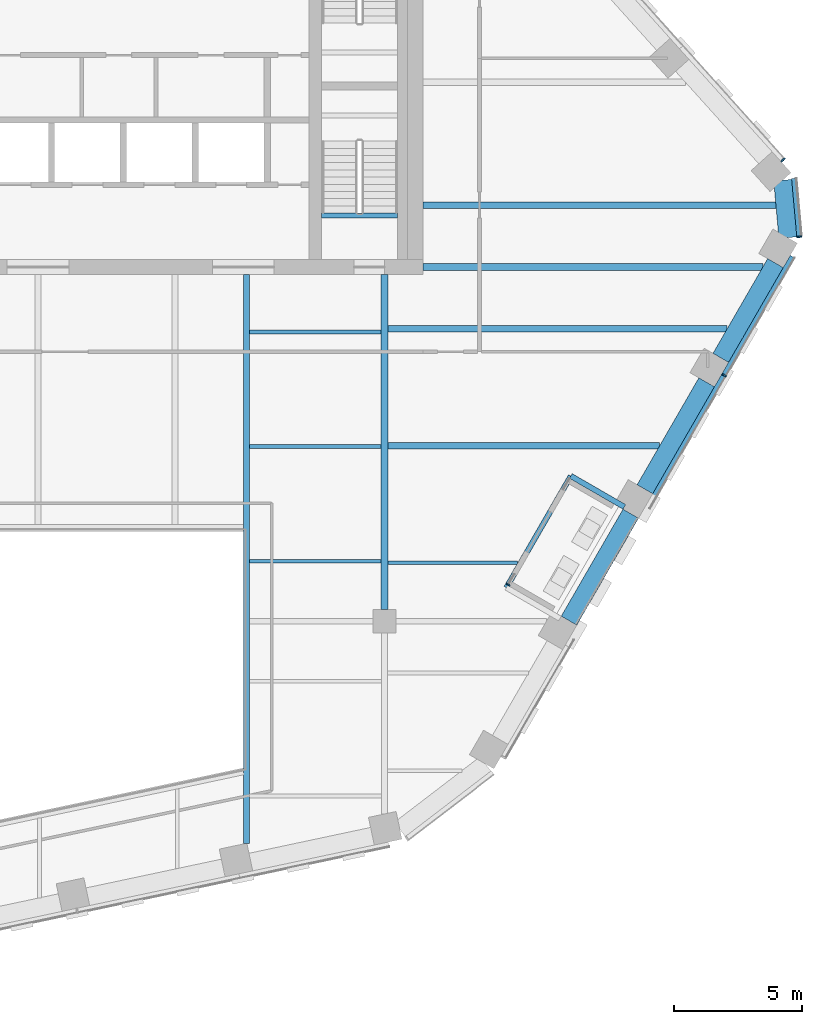
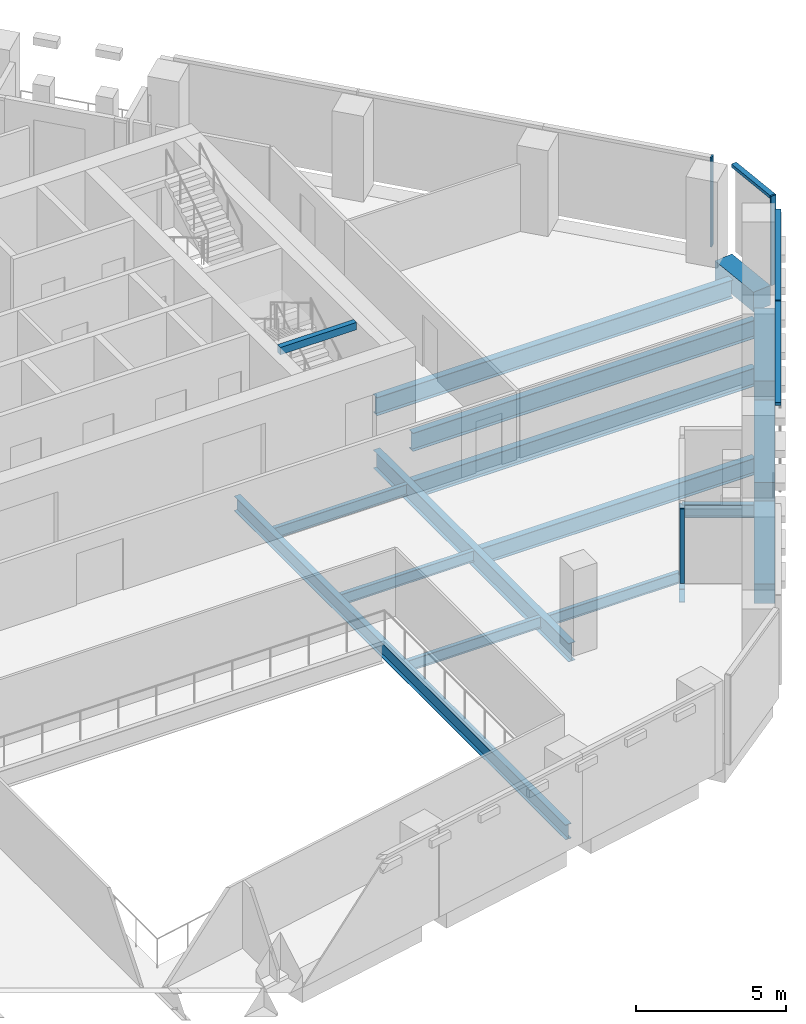
# One storey, part 5 of 24: 17 beams, 7 members, 4 elements without a shape of their own.
"""IFC4 building model written with IfcOpenShell, lengths in metres."""

import ifcopenshell
import ifcopenshell.guid

model = None  # the IFC model being written
_history = None  # IfcOwnerHistory: only IFC2X3 demands one
_inside = {}  # id of a spatial element -> (the spatial element, [elements in it])
_under = {}  # id of a project, library or spatial element -> (it, [spatial elements below it])
_declared = {}  # id of a project -> (the project, [libraries it declares])
_typed = {}  # id of a type object -> (the type object, [elements of that type])
_made_of = {}  # id of a material, layer set ... -> (it, [elements and type objects made of it])


def new_model(schema):
    """Start an empty IFC model of exactly this schema.

    Asked for "IFC4X3", IfcOpenShell would pick the latest addendum, in which some entities
    have other attributes; the version numbers below select the first issue.
    IFC2X3 requires an IfcOwnerHistory on every rooted entity: one is made here for all.
    """
    global model, _history
    if schema == "IFC4X3":
        model = ifcopenshell.file(schema_version=(4, 3, 0, 0))
    else:
        model = ifcopenshell.file(schema=schema)
    _inside.clear()
    _under.clear()
    _declared.clear()
    _typed.clear()
    _made_of.clear()
    _history = None
    if model.schema == "IFC2X3":
        org = make("IfcOrganization", Name="unknown")
        user = make(
            "IfcPersonAndOrganization",
            ThePerson=make("IfcPerson", FamilyName="unknown"),
            TheOrganization=org,
        )
        app = make(
            "IfcApplication",
            ApplicationDeveloper=org,
            Version="unknown",
            ApplicationFullName="unknown",
            ApplicationIdentifier="unknown",
        )
        _history = make(
            "IfcOwnerHistory",
            OwningUser=user,
            OwningApplication=app,
            ChangeAction="ADDED",
            CreationDate=0,
        )
    return model


def make(cls, **values):
    """One entity of the class cls with the attributes given. An attribute that is None is left unset."""
    return model.create_entity(
        cls, **{name: value for name, value in values.items() if value is not None}
    )


def rooted(cls, **values):
    """An entity with a GlobalId (a new one), such as an element, a storey or a relation."""
    return make(cls, GlobalId=ifcopenshell.guid.new(), OwnerHistory=_history, **values)


def si_unit(unit_type, name, prefix=None):
    """IfcSIUnit, for example si_unit("LENGTHUNIT", "METRE", prefix="MILLI")."""
    return make("IfcSIUnit", UnitType=unit_type, Prefix=prefix, Name=name)


def assignment(units):
    """IfcUnitAssignment: the units of a project."""
    return None if units is None else make("IfcUnitAssignment", Units=units)


def point(xyz):
    """IfcCartesianPoint."""
    return None if xyz is None else make("IfcCartesianPoint", Coordinates=xyz)


def direction(xyz):
    """IfcDirection."""
    return None if xyz is None else make("IfcDirection", DirectionRatios=xyz)


def frame(location, z_axis=None, x_axis=None):
    """IfcAxis2Placement3D, a coordinate frame: its origin and axes. An axis left out is left unset."""
    return make(
        "IfcAxis2Placement3D",
        Location=point(location),
        Axis=direction(z_axis),
        RefDirection=direction(x_axis),
    )


def frame_2d(location, x_axis=None):
    """IfcAxis2Placement2D, a coordinate frame in the plane: its origin and x axis."""
    return make(
        "IfcAxis2Placement2D", Location=point(location), RefDirection=direction(x_axis)
    )


def origin():
    """The frame at (0, 0, 0) with its axes left unset."""
    return frame((0.0, 0.0, 0.0))


def origin_2d():
    """The frame at (0, 0) in the plane with its x axis left unset."""
    return frame_2d((0.0, 0.0))


def place(relative_to, where):
    """IfcLocalPlacement: puts the frame where relative to a parent placement (None: the world)."""
    return make(
        "IfcLocalPlacement", PlacementRelTo=relative_to, RelativePlacement=where
    )


def context(
    kind, dimensions, precision=None, world=None, true_north=None, identifier=None
):
    """IfcGeometricRepresentationContext, for example the 3D "Model" context."""
    return make(
        "IfcGeometricRepresentationContext",
        ContextIdentifier=identifier,
        ContextType=kind,
        CoordinateSpaceDimension=dimensions,
        Precision=precision,
        WorldCoordinateSystem=world,
        TrueNorth=true_north,
    )


def subcontext(parent, identifier, kind, view, scale=None):
    """IfcGeometricRepresentationSubContext, for example "Body" below "Model"."""
    return make(
        "IfcGeometricRepresentationSubContext",
        ContextIdentifier=identifier,
        ContextType=kind,
        ParentContext=parent,
        TargetScale=scale,
        TargetView=view,
    )


def project(units=None, contexts=None):
    """IfcProject with its units and contexts."""
    return rooted(
        "IfcProject",
        Name="project",
        RepresentationContexts=contexts,
        UnitsInContext=assignment(units),
    )


def spatial(cls, under=None, at=None, **own):
    """A site, building, storey or space (cls), placed at a placement, below another one or the project."""
    s = rooted(cls, ObjectPlacement=at, **own)
    if under is not None:
        _under.setdefault(under.id(), (under, []))[1].append(s)
    return s


def profile(cls, at=None, kind="AREA", **sizes):
    """A parametric profile (cls). Its sizes go by their IFC names, for example OverallWidth=200.0."""
    return make(cls, ProfileType=kind, Position=at, **sizes)


def rectangle(**sizes):
    """IfcRectangleProfileDef."""
    return profile("IfcRectangleProfileDef", **sizes)


def i_section(**sizes):
    """IfcIShapeProfileDef."""
    return profile("IfcIShapeProfileDef", **sizes)


def extrude(swept, where, along, depth):
    """IfcExtrudedAreaSolid: the profile swept, set in the frame where, extruded along a direction by depth."""
    return make(
        "IfcExtrudedAreaSolid",
        SweptArea=swept,
        Position=where,
        ExtrudedDirection=direction(along),
        Depth=depth,
    )


def shape(context_of_items, identifier, shape_type, items):
    """IfcShapeRepresentation: the items that make up one representation, for example the "Body"."""
    return make(
        "IfcShapeRepresentation",
        ContextOfItems=context_of_items,
        RepresentationIdentifier=identifier,
        RepresentationType=shape_type,
        Items=items,
    )


def material(Name=None, Category=None):
    """IfcMaterial."""
    return make("IfcMaterial", Name=Name, Category=Category)


def layer(
    of_material, thickness, ventilated=None, Name=None, Category=None, Priority=None
):
    """IfcMaterialLayer: one layer of a wall or slab, of a material (None: an air gap)."""
    return make(
        "IfcMaterialLayer",
        Material=of_material,
        LayerThickness=thickness,
        IsVentilated=ventilated,
        Name=Name,
        Category=Category,
        Priority=Priority,
    )


def layer_set(layers, Name=None):
    """IfcMaterialLayerSet."""
    return make("IfcMaterialLayerSet", MaterialLayers=layers, LayerSetName=Name)


def material_profile(
    of_material, cross_section, Name=None, Category=None, Priority=None
):
    """IfcMaterialProfile: a cross section and its material."""
    return make(
        "IfcMaterialProfile",
        Name=Name,
        Material=of_material,
        Profile=cross_section,
        Priority=Priority,
        Category=Category,
    )


def profile_set(profiles, Name=None, composite=None):
    """IfcMaterialProfileSet."""
    return make(
        "IfcMaterialProfileSet",
        Name=Name,
        MaterialProfiles=profiles,
        CompositeProfile=composite,
    )


def made_of(thing, what):
    """Note that an element or type object is made of a material, layer set ...; save() writes the relation."""
    if what is not None:
        _made_of.setdefault(what.id(), (what, []))[1].append(thing)
    return thing


def type_object(cls, material=None, **own):
    """A type object (cls), such as IfcWallType, which elements share."""
    return made_of(rooted(cls, **own), material)


def element(
    cls,
    number,
    at=None,
    inside=None,
    cuts=None,
    type_object=None,
    material=None,
    context=None,
    identifier="Body",
    shape_type=None,
    held_by="IfcProductDefinitionShape",
    body=None,
    shapes=None,
    **own,
):
    """One element of the class cls, such as IfcWall. Its Tag is "e" and its number.

    at: its placement. inside: the storey or other place that contains it. cuts: it is an
    opening in that element (IfcRelVoidsElement). A single representation is given by context,
    identifier, shape_type and body (its items); several are given by shapes. held_by: the class
    of the entity that holds the representations. save() writes the other relations.
    """
    e = rooted(cls, Tag="e%d" % number, ObjectPlacement=at, **own)
    if body is not None:
        shapes = [shape(context, identifier, shape_type, body)]
    if shapes is not None:
        e.Representation = make(held_by, Representations=shapes)
    if inside is not None:
        _inside.setdefault(inside.id(), (inside, []))[1].append(e)
    if cuts is not None:
        rooted(
            "IfcRelVoidsElement", RelatingBuildingElement=cuts, RelatedOpeningElement=e
        )
    if type_object is not None:
        _typed.setdefault(type_object.id(), (type_object, []))[1].append(e)
    return made_of(e, material)


def aggregate(whole, parts):
    """IfcRelAggregates: a whole, such as a stair, and the parts it consists of."""
    return rooted("IfcRelAggregates", RelatingObject=whole, RelatedObjects=parts)


def save(model, path):
    """Write the relations noted so far, then the file.

    IfcRelAggregates (storeys below a building ...), IfcRelContainedInSpatialStructure (elements
    in a storey), IfcRelDefinesByType, IfcRelAssociatesMaterial and IfcRelDeclares: one each for
    every whole, place, type object, material and project.
    """
    for whole, parts in _under.values():
        aggregate(whole, parts)
    for where, things in _inside.values():
        rooted(
            "IfcRelContainedInSpatialStructure",
            RelatedElements=things,
            RelatingStructure=where,
        )
    for kind, things in _typed.values():
        rooted("IfcRelDefinesByType", RelatedObjects=things, RelatingType=kind)
    for what, things in _made_of.values():
        rooted("IfcRelAssociatesMaterial", RelatedObjects=things, RelatingMaterial=what)
    for by, libraries in _declared.values():
        rooted("IfcRelDeclares", RelatingContext=by, RelatedDefinitions=libraries)
    model.write(path)


model = new_model("IFC4")

# Units and contexts
model_context = context("Model", 3, precision=1e-05, world=origin(), true_north=direction((0.0, 1.0)))
body_context = subcontext(model_context, "Body", "Model", "MODEL_VIEW")
ifc_project = project(units=[si_unit("LENGTHUNIT", "METRE"), si_unit("AREAUNIT", "SQUARE_METRE"), si_unit("VOLUMEUNIT", "CUBIC_METRE"), si_unit("PLANEANGLEUNIT", "RADIAN"), si_unit("MASSUNIT", "GRAM", prefix="KILO")], contexts=[model_context])

# Site, building, storey
site_placement = place(None, origin())
site = spatial("IfcSite", under=ifc_project, at=site_placement, CompositionType="ELEMENT")
building_placement = place(site_placement, origin())
building = spatial("IfcBuilding", under=site, at=building_placement, Name="Isthmus Gate Tower", CompositionType="ELEMENT")
storey_placement = place(building_placement, frame((0.0, 0.0, 234.550048828125)))
storey = spatial("IfcBuildingStorey", under=building, at=storey_placement, Name="L59", CompositionType="ELEMENT", Elevation=234.550048828125)

# Curtain wall, member
ifc_material_1 = material(Name="Aluminium, pale champagne anodised", Category="aluminium")
ifc_layer_1 = layer(ifc_material_1, 0.199951171875)
ifc_layer_set_1 = layer_set([ifc_layer_1], Name="CW-1 UNITISED CURTAIN WALL 200 DEEP")
curtain_wall_type_1 = type_object("IfcCurtainWallType", Name="CW-1 UNITISED CURTAIN WALL 200 DEEP", PredefinedType="NOTDEFINED", material=ifc_layer_set_1)
curtain_wall_1_placement = place(storey_placement, origin())
curtain_wall_1 = element("IfcCurtainWall", 1, at=curtain_wall_1_placement, inside=storey, type_object=curtain_wall_type_1, Name="CW-1 SE L59", PredefinedType="NOTDEFINED")
ifc_material_2 = material(Name="Aluminium, pale champagne anodised", Category="aluminium")
ifc_material_profile_1 = material_profile(ifc_material_2, rectangle(XDim=0.06005859375, YDim=0.199951171875, at=origin_2d()), Name="60x200")
ifc_profile_set_1 = profile_set([ifc_material_profile_1], Name="Aluminium, pale champagne anodised")
member_type_1 = type_object("IfcMemberType", Name="CW-1 MULLION 60 X 200", PredefinedType="MULLION", material=ifc_profile_set_1)
member_1_placement = place(storey_placement, frame((26.72265625, -3.9150390625, 0.0), z_axis=(0.0, 0.0, 1.0), x_axis=(0.5, 0.866025403784, 0.0)))
member_1 = element("IfcMember", 2, at=member_1_placement, type_object=member_type_1, Name="CW-1 mullion", PredefinedType="MULLION", context=body_context, shape_type="SweptSolid", body=[
    extrude(rectangle(XDim=0.06005859375, YDim=0.199951171875, at=origin_2d()), origin(), (0.0, 0.0, 1.0), 3.64990234375),
])

curtain_wall_2_placement = place(storey_placement, origin())
curtain_wall_2 = element("IfcCurtainWall", 3, at=curtain_wall_2_placement, inside=storey, type_object=curtain_wall_type_1, Name="CW-1 SE-NE L59", PredefinedType="NOTDEFINED")
member_2_placement = place(storey_placement, frame((29.654296875, 1.4765625, 0.0), z_axis=(0.0, 0.0, 1.0), x_axis=(-0.089396669717, 0.995996102123, 0.0)))
member_2 = element("IfcMember", 4, at=member_2_placement, type_object=member_type_1, Name="CW-1 mullion", PredefinedType="MULLION", context=body_context, shape_type="SweptSolid", body=[
    extrude(rectangle(XDim=0.06005859375, YDim=0.199951171875, at=origin_2d()), origin(), (0.0, 0.0, 1.0), 3.64990234375),
])

curtain_wall_3_placement = place(storey_placement, origin())
curtain_wall_3 = element("IfcCurtainWall", 5, at=curtain_wall_3_placement, inside=storey, type_object=curtain_wall_type_1, Name="CW-1 NE L59", PredefinedType="NOTDEFINED")
member_3_placement = place(storey_placement, frame((29.016357421875, 4.46923828125, 0.0), z_axis=(0.0, 0.0, 1.0), x_axis=(-0.669130606359, 0.743144825477, 0.0)))
member_3 = element("IfcMember", 6, at=member_3_placement, type_object=member_type_1, Name="CW-1 mullion", PredefinedType="MULLION", context=body_context, shape_type="SweptSolid", body=[
    extrude(rectangle(XDim=0.06005859375, YDim=0.199951171875, at=origin_2d()), origin(), (0.0, 0.0, 1.0), 3.64990234375),
])
aggregate(curtain_wall_3, [member_3])

# Member
ifc_material_3 = material(Name="Aluminium, pale champagne anodised", Category="aluminium")
ifc_material_profile_2 = material_profile(ifc_material_3, rectangle(XDim=0.199951171875, YDim=0.1298828125, at=origin_2d()), Name="200x130")
ifc_profile_set_2 = profile_set([ifc_material_profile_2], Name="Aluminium, pale champagne anodised")
member_type_2 = type_object("IfcMemberType", Name="CW-1 TRANSOM 200 X 130", PredefinedType="USERDEFINED", material=ifc_profile_set_2)
member_4_placement = place(storey_placement, frame((23.752197265625, -9.059814453125, 3.5849609375), z_axis=(0.500008496284, 0.866020498397, 0.0), x_axis=(-0.866020498397, 0.500008496284, 0.0)))
member_4 = element("IfcMember", 7, at=member_4_placement, type_object=member_type_2, Name="CW-1 transom", ObjectType="TRANSOM", PredefinedType="USERDEFINED", context=body_context, shape_type="SweptSolid", body=[
    extrude(rectangle(XDim=0.199951171875, YDim=0.1298828125, at=origin_2d()), origin(), (0.0, 0.0, 1.0), 5.91064453125),
])

member_5_placement = place(storey_placement, frame((26.737548828125, -3.88916015625, 3.5849609375), z_axis=(0.500022807565, 0.86601223543, 0.0), x_axis=(-0.86601223543, 0.500022807565, 0.0)))
member_5 = element("IfcMember", 8, at=member_5_placement, type_object=member_type_2, Name="CW-1 transom", ObjectType="TRANSOM", PredefinedType="USERDEFINED", context=body_context, shape_type="SweptSolid", body=[
    extrude(rectangle(XDim=0.199951171875, YDim=0.1298828125, at=origin_2d()), origin(), (0.0, 0.0, 1.0), 5.300537109375),
])

aggregate(curtain_wall_1, [member_4, member_1, member_5])

member_6_placement = place(storey_placement, frame((29.651611328125, 1.506591796875, 3.5849609375), z_axis=(-0.089395362867, 0.995996219419, 0.0), x_axis=(-0.995996219419, -0.089395362867, 0.0)))
member_6 = element("IfcMember", 9, at=member_6_placement, type_object=member_type_2, Name="CW-1 transom", ObjectType="TRANSOM", PredefinedType="USERDEFINED", context=body_context, shape_type="SweptSolid", body=[
    extrude(rectangle(XDim=0.199951171875, YDim=0.1298828125, at=origin_2d()), origin(), (0.0, 0.0, 1.0), 2.258544921875),
])

aggregate(curtain_wall_2, [member_2, member_6])

# Curtain wall, member
ifc_material_4 = material(Name="Aluminium, pale champagne anodised", Category="aluminium")
ifc_layer_2 = layer(ifc_material_4, 0.14990234375)
ifc_layer_set_2 = layer_set([ifc_layer_2], Name="CW-6 LOGGIA BACK WALL GLAZING 150 DEEP")
curtain_wall_type_2 = type_object("IfcCurtainWallType", Name="CW-6 LOGGIA BACK WALL GLAZING 150 DEEP", PredefinedType="NOTDEFINED", material=ifc_layer_set_2)
curtain_wall_4_placement = place(storey_placement, origin())
curtain_wall_4 = element("IfcCurtainWall", 10, at=curtain_wall_4_placement, inside=storey, type_object=curtain_wall_type_2, Name="CW-6 SE L59", PredefinedType="NOTDEFINED")
ifc_material_5 = material(Name="Aluminium, pale champagne anodised", Category="aluminium")
ifc_material_profile_3 = material_profile(ifc_material_5, rectangle(XDim=0.06005859375, YDim=0.14990234375, at=origin_2d()), Name="60x150")
ifc_profile_set_3 = profile_set([ifc_material_profile_3], Name="Aluminium, pale champagne anodised")
member_type_3 = type_object("IfcMemberType", Name="CW-6 MULLION 60 X 150", PredefinedType="MULLION", material=ifc_profile_set_3)
member_7_placement = place(storey_placement, frame((18.315673828125, -12.076171875, 0.0), z_axis=(0.0, 0.0, 1.0), x_axis=(0.5, 0.866025403784, 0.0)))
member_7 = element("IfcMember", 11, at=member_7_placement, type_object=member_type_3, Name="CW-6 mullion", PredefinedType="MULLION", context=body_context, shape_type="SweptSolid", body=[
    extrude(rectangle(XDim=0.06005859375, YDim=0.14990234375, at=origin_2d()), origin(), (0.0, 0.0, 1.0), 3.050048828125),
])
aggregate(curtain_wall_4, [member_7])

# Beams
ifc_material_6 = material(Name="Concrete f'c 50 MPa", Category="concrete")
ifc_material_profile_4 = material_profile(ifc_material_6, rectangle(XDim=0.699951171875, YDim=0.800048828125, at=origin_2d()), Name="RC 700X800")
ifc_profile_set_4 = profile_set([ifc_material_profile_4], Name="Concrete f'c 50 MPa")
beam_type_1 = type_object("IfcBeamType", Name="RC SPANDREL 700 X 800", PredefinedType="SPANDREL", material=ifc_profile_set_4)
beam_1_placement = place(storey_placement, frame((29.0048828125, 3.678466796875, -0.400146484375), z_axis=(0.089359478208, -0.995999439585, 0.0), x_axis=(0.995999439585, 0.089359478208, 0.0)))
element("IfcBeam", 12, at=beam_1_placement, inside=storey, type_object=beam_type_1, Name="str-spandrel-L59-05", PredefinedType="SPANDREL", context=body_context, shape_type="SweptSolid", body=[
    extrude(rectangle(XDim=0.699951171875, YDim=0.800048828125, at=origin_2d()), origin(), (0.0, 0.0, 1.0), 2.245849609375),
])
beam_2_placement = place(storey_placement, frame((28.72314453125, 0.449951171875, -0.400146484375), z_axis=(-0.500021719575, -0.866012863619, 0.0), x_axis=(0.866012863619, -0.500021719575, 0.0)))
element("IfcBeam", 13, at=beam_2_placement, inside=storey, type_object=beam_type_1, Name="str-spandrel-L59-06", PredefinedType="SPANDREL", context=body_context, shape_type="SweptSolid", body=[
    extrude(rectangle(XDim=0.699951171875, YDim=0.800048828125, at=origin_2d()), origin(), (0.0, 0.0, 1.0), 4.260498046875),
])
for number, where, z_axis, x_axis, name in (
    (14, (26.04296875, -4.1923828125, -0.400146484375), (-0.500019702373, -0.866014028315, 0.0), (0.866014028315, -0.500019702373, 0.0), "str-spandrel-L59-07"),
    (15, (23.087646484375, -9.31103515625, -0.400146484375), (-0.49998164095, -0.866036003127, 0.0), (0.866036003127, -0.49998164095, 0.0), "str-spandrel-L59-08"),
):
    element("IfcBeam", number, at=place(storey_placement, frame(where, z_axis=z_axis, x_axis=x_axis)), inside=storey, type_object=beam_type_1, Name=name, PredefinedType="SPANDREL", context=body_context, shape_type="SweptSolid", body=[
        extrude(rectangle(XDim=0.699951171875, YDim=0.800048828125, at=origin_2d()), origin(), (0.0, 0.0, 1.0), 4.810791015625),
    ])
ifc_material_7 = material(Name="Concrete f'c 40 MPa", Category="concrete")
ifc_material_profile_5 = material_profile(ifc_material_7, rectangle(XDim=0.199951171875, YDim=0.300048828125, at=origin_2d()), Name="STAIR LANDING BEAM RC 200 X 300")
ifc_profile_set_5 = profile_set([ifc_material_profile_5], Name="Concrete f'c 40 MPa")
beam_type_2 = type_object("IfcBeamType", Name="STAIR LANDING BEAM RC 200 X 300", PredefinedType="BEAM", material=ifc_profile_set_5)
beam_3_placement = place(storey_placement, frame((11.050048828125, 2.2998046875, 3.349853515625), z_axis=(1.0, 0.0, 0.0), x_axis=(0.0, 1.0, 0.0)))
element("IfcBeam", 16, at=beam_3_placement, inside=storey, type_object=beam_type_2, Name="L59 ST8 floor-edge seat beam", PredefinedType="BEAM", context=body_context, shape_type="SweptSolid", body=[
    extrude(rectangle(XDim=0.199951171875, YDim=0.300048828125, at=origin_2d()), origin(), (0.0, 0.0, 1.0), 2.949951171875),
])
ifc_material_8 = material(Name="Structural steel ASTM A992 Gr 50", Category="steel")
ifc_material_profile_6 = material_profile(ifc_material_8, i_section(OverallWidth=0.15234375, OverallDepth=0.45068359375, WebThickness=0.0078125, FlangeThickness=0.010986328125, at=origin_2d()), Name="W18X35")
ifc_profile_set_6 = profile_set([ifc_material_profile_6], Name="Structural steel ASTM A992 Gr 50")
beam_type_3 = type_object("IfcBeamType", Name="STEEL FLOOR BEAM W18X35", PredefinedType="JOIST", material=ifc_profile_set_6)
for number, where, z_axis, x_axis, name in (
    (17, (8.228515625, -11.16259765625, -0.37548828125), (1.0, 0.0, 0.0), (0.0, 1.0, 0.0), "str-beam-L59-13-00"),
    (18, (8.228515625, -6.697509765625, -0.37548828125), (1.0, 0.0, 0.0), (0.0, 1.0, 0.0), "str-beam-L59-13-01"),
    (19, (8.228515625, -2.232421875, -0.37548828125), (1.0, 0.0, 0.0), (0.0, 1.0, 0.0), "str-beam-L59-13-02"),
):
    element("IfcBeam", number, at=place(storey_placement, frame(where, z_axis=z_axis, x_axis=x_axis)), inside=storey, type_object=beam_type_3, Name=name, PredefinedType="JOIST", context=body_context, shape_type="SweptSolid", body=[
        extrude(i_section(OverallWidth=0.15234375, OverallDepth=0.45068359375, WebThickness=0.0078125, FlangeThickness=0.010986328125, at=origin_2d()), origin(), (0.0, 0.0, 1.0), 5.1396484375),
    ])
beam_4_placement = place(storey_placement, frame((13.6318359375, -11.221923828125, -0.37548828125), z_axis=(1.0, 0.0, 0.0), x_axis=(0.0, 1.0, 0.0)))
element("IfcBeam", 20, at=beam_4_placement, inside=storey, type_object=beam_type_3, Name="str-beam-L59-16-00", PredefinedType="JOIST", context=body_context, shape_type="SweptSolid", body=[
    extrude(i_section(OverallWidth=0.15234375, OverallDepth=0.45068359375, WebThickness=0.0078125, FlangeThickness=0.010986328125, at=origin_2d()), origin(), (0.0, 0.0, 1.0), 5.05078125),
])
ifc_material_9 = material(Name="Structural steel ASTM A992 Gr 50", Category="steel")
ifc_material_profile_7 = material_profile(ifc_material_9, i_section(OverallWidth=0.25390625, OverallDepth=0.679443359375, WebThickness=0.010986328125, FlangeThickness=0.015869140625, at=origin_2d()), Name="W27X84")
ifc_profile_set_7 = profile_set([ifc_material_profile_7], Name="Structural steel ASTM A992 Gr 50")
beam_type_4 = type_object("IfcBeamType", Name="STEEL FLOOR BEAM W27X84", PredefinedType="JOIST", material=ifc_profile_set_7)
beam_5_placement = place(storey_placement, frame((13.6318359375, -6.665771484375, -0.48974609375), z_axis=(1.0, 0.0, 0.0), x_axis=(0.0, 1.0, 0.0)))
element("IfcBeam", 21, at=beam_5_placement, inside=storey, type_object=beam_type_4, Name="str-beam-L59-16-01", PredefinedType="JOIST", context=body_context, shape_type="SweptSolid", body=[
    extrude(i_section(OverallWidth=0.25390625, OverallDepth=0.679443359375, WebThickness=0.010986328125, FlangeThickness=0.015869140625, at=origin_2d()), origin(), (0.0, 0.0, 1.0), 10.578857421875),
])
ifc_material_10 = material(Name="Structural steel ASTM A992 Gr 50", Category="steel")
ifc_material_profile_8 = material_profile(ifc_material_10, i_section(OverallWidth=0.263427734375, OverallDepth=0.749267578125, WebThickness=0.0126953125, FlangeThickness=0.015869140625, at=origin_2d()), Name="W30X90")
ifc_profile_set_8 = profile_set([ifc_material_profile_8], Name="Structural steel ASTM A992 Gr 50")
beam_type_5 = type_object("IfcBeamType", Name="STEEL FLOOR BEAM W30X90", PredefinedType="JOIST", material=ifc_profile_set_8)
beam_6_placement = place(storey_placement, frame((13.6318359375, -2.10986328125, -0.524658203125), z_axis=(1.0, 0.0, 0.0), x_axis=(0.0, 1.0, 0.0)))
element("IfcBeam", 22, at=beam_6_placement, inside=storey, type_object=beam_type_5, Name="str-beam-L59-16-02", PredefinedType="JOIST", context=body_context, shape_type="SweptSolid", body=[
    extrude(i_section(OverallWidth=0.263427734375, OverallDepth=0.749267578125, WebThickness=0.0126953125, FlangeThickness=0.015869140625, at=origin_2d()), origin(), (0.0, 0.0, 1.0), 13.209228515625),
])
beam_7_placement = place(storey_placement, frame((15.0, 2.699951171875, -0.524658203125), z_axis=(1.0, 0.0, 0.0), x_axis=(0.0, 1.0, 0.0)))
element("IfcBeam", 23, at=beam_7_placement, inside=storey, type_object=beam_type_5, Name="str-beam-L59-17-00", PredefinedType="JOIST", context=body_context, shape_type="SweptSolid", body=[
    extrude(i_section(OverallWidth=0.263427734375, OverallDepth=0.749267578125, WebThickness=0.0126953125, FlangeThickness=0.015869140625, at=origin_2d()), origin(), (0.0, 0.0, 1.0), 13.7412109375),
])
ifc_material_11 = material(Name="Structural steel ASTM A992 Gr 50", Category="steel")
ifc_material_profile_9 = material_profile(ifc_material_11, i_section(OverallWidth=0.263427734375, OverallDepth=0.749267578125, WebThickness=0.0126953125, FlangeThickness=0.015869140625, at=origin_2d()), Name="W30X90")
ifc_profile_set_9 = profile_set([ifc_material_profile_9], Name="Structural steel ASTM A992 Gr 50")
beam_type_6 = type_object("IfcBeamType", Name="STEEL GIRDER W30X90", PredefinedType="BEAM", material=ifc_profile_set_9)
beam_8_placement = place(storey_placement, frame((13.5, -13.050048828125, -0.524658203125), z_axis=(0.0, 1.0, 0.0), x_axis=(-1.0, 0.0, 0.0)))
element("IfcBeam", 24, at=beam_8_placement, inside=storey, type_object=beam_type_6, Name="str-girder-L59-08", PredefinedType="BEAM", context=body_context, shape_type="SweptSolid", body=[
    extrude(i_section(OverallWidth=0.263427734375, OverallDepth=0.749267578125, WebThickness=0.0126953125, FlangeThickness=0.015869140625, at=origin_2d()), origin(), (0.0, 0.0, 1.0), 13.050048828125),
])
beam_9_placement = place(storey_placement, frame((15.0, 0.300048828125, -0.524658203125), z_axis=(1.0, 0.0, 0.0), x_axis=(0.0, 1.0, 0.0)))
element("IfcBeam", 25, at=beam_9_placement, inside=storey, type_object=beam_type_6, Name="str-girder-L59-10", PredefinedType="BEAM", context=body_context, shape_type="SweptSolid", body=[
    extrude(i_section(OverallWidth=0.263427734375, OverallDepth=0.749267578125, WebThickness=0.0126953125, FlangeThickness=0.015869140625, at=origin_2d()), origin(), (0.0, 0.0, 1.0), 13.232421875),
])
ifc_material_12 = material(Name="Structural steel ASTM A992 Gr 50", Category="steel")
ifc_material_profile_10 = material_profile(ifc_material_12, i_section(OverallWidth=0.20947265625, OverallDepth=0.533447265625, WebThickness=0.009521484375, FlangeThickness=0.015869140625, at=origin_2d()), Name="W21X62")
ifc_profile_set_10 = profile_set([ifc_material_profile_10], Name="Structural steel ASTM A992 Gr 50")
beam_type_7 = type_object("IfcBeamType", Name="STEEL TRIMMER W21X62", PredefinedType="BEAM", material=ifc_profile_set_10)
beam_10_placement = place(storey_placement, frame((18.244140625, -12.190673828125, -0.416748046875), z_axis=(0.499983455602, 0.866034955486, 0.0), x_axis=(-0.866034955486, 0.499983455602, 0.0)))
element("IfcBeam", 26, at=beam_10_placement, inside=storey, type_object=beam_type_7, Name="str-loggiatrim-L59-04-B", PredefinedType="BEAM", context=body_context, shape_type="SweptSolid", body=[
    extrude(i_section(OverallWidth=0.20947265625, OverallDepth=0.533447265625, WebThickness=0.009521484375, FlangeThickness=0.015869140625, at=origin_2d()), origin(), (0.0, 0.0, 1.0), 5.020263671875),
])
beam_11_placement = place(storey_placement, frame((22.8369140625, -9.04541015625, -0.416748046875), z_axis=(-0.866041894065, 0.499971436909, 0.0), x_axis=(-0.499971436909, -0.866041894065, 0.0)))
element("IfcBeam", 27, at=beam_11_placement, inside=storey, type_object=beam_type_7, Name="str-loggiatrim-L59-04-C", PredefinedType="BEAM", context=body_context, shape_type="SweptSolid", body=[
    extrude(i_section(OverallWidth=0.20947265625, OverallDepth=0.533447265625, WebThickness=0.009521484375, FlangeThickness=0.015869140625, at=origin_2d()), origin(), (0.0, 0.0, 1.0), 2.405029296875),
])
ifc_material_13 = material(Name="Structural steel ASTM A992 Gr 50", Category="steel")
ifc_material_profile_11 = material_profile(ifc_material_13, i_section(OverallWidth=0.228515625, OverallDepth=0.6064453125, WebThickness=0.010986328125, FlangeThickness=0.017578125, at=origin_2d()), Name="W24X76")
ifc_profile_set_11 = profile_set([ifc_material_profile_11], Name="Structural steel ASTM A992 Gr 50")
beam_type_8 = type_object("IfcBeamType", Name="STEEL TRIMMER W24X76", PredefinedType="BEAM", material=ifc_profile_set_11)
beam_12_placement = place(storey_placement, frame((8.1142578125, -22.150634765625, -0.453369140625), z_axis=(0.0, 1.0, 0.0), x_axis=(-1.0, 0.0, 0.0)))
element("IfcBeam", 28, at=beam_12_placement, inside=storey, type_object=beam_type_8, Name="str-trimmer-L59-01", PredefinedType="BEAM", context=body_context, shape_type="SweptSolid", body=[
    extrude(i_section(OverallWidth=0.228515625, OverallDepth=0.6064453125, WebThickness=0.010986328125, FlangeThickness=0.017578125, at=origin_2d()), origin(), (0.0, 0.0, 1.0), 22.150634765625),
])

save(model, "model.ifc")
